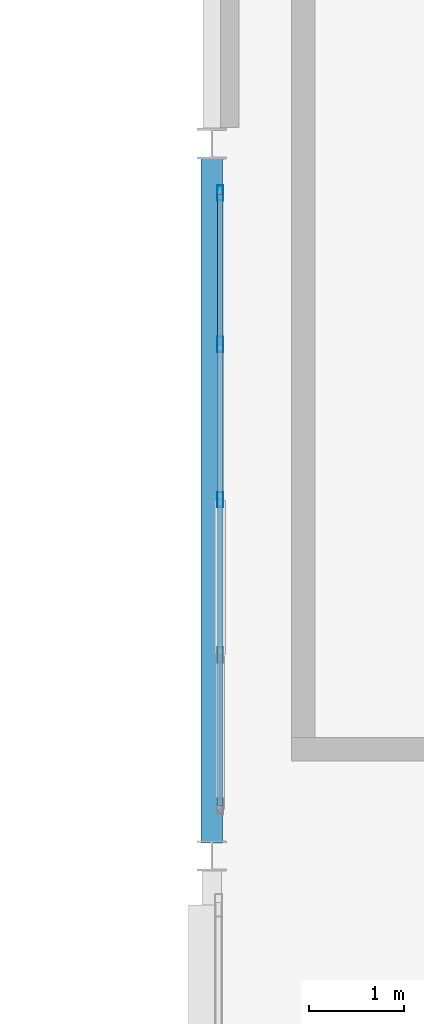
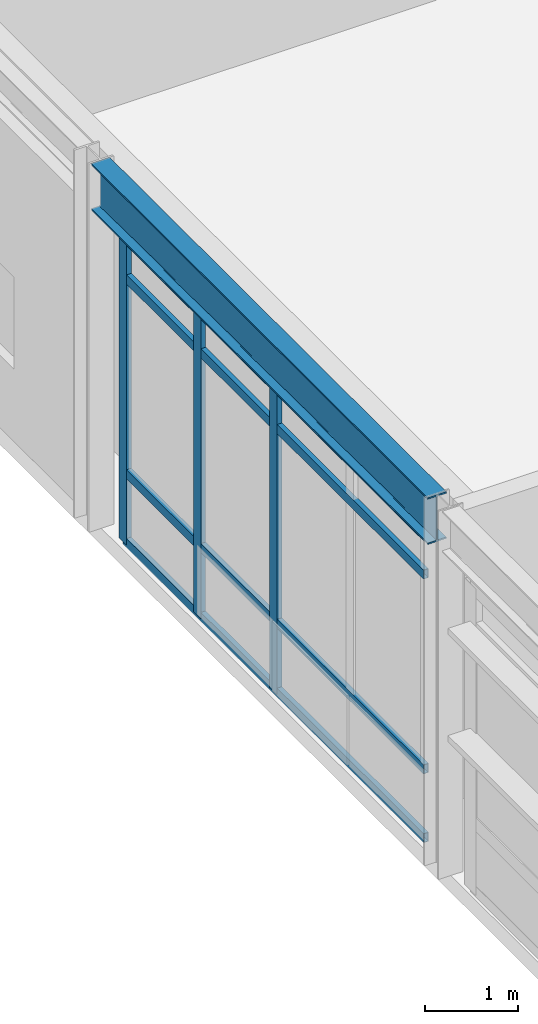
# One storey, part 26 of 56: 7 members, 1 beam, 1 element without a shape of its own.
"""IFC4 building model written with IfcOpenShell, lengths in metres."""

from ifc_helpers import new_model, si_unit, direction, frame, origin, origin_2d, place, context, subcontext, project, spatial, hollow_rectangle, i_section, extrude, material, material_profile, profile_set, type_object, element, aggregate, save


model = new_model("IFC4")

# Units and contexts
model_context = context("Model", 3, precision=1e-05, world=origin(), true_north=direction((0.0, 1.0)))
body_context = subcontext(model_context, "Body", "Model", "MODEL_VIEW")
ifc_project = project(units=[si_unit("LENGTHUNIT", "METRE"), si_unit("AREAUNIT", "SQUARE_METRE"), si_unit("VOLUMEUNIT", "CUBIC_METRE"), si_unit("PLANEANGLEUNIT", "RADIAN"), si_unit("MASSUNIT", "GRAM", prefix="KILO"), si_unit("THERMODYNAMICTEMPERATUREUNIT", "KELVIN"), si_unit("POWERUNIT", "WATT")], contexts=[model_context])

# Site, building, storey
site_placement = place(None, origin())
site = spatial("IfcSite", under=ifc_project, at=site_placement, CompositionType="ELEMENT")
building_placement = place(site_placement, origin())
building = spatial("IfcBuilding", under=site, at=building_placement, Name="Tepalcoro Natatorium and Aquatics Centre", CompositionType="ELEMENT")
storey_placement = place(building_placement, frame((0.0, 0.0, 14.800048828125)))
storey = spatial("IfcBuildingStorey", under=building, at=storey_placement, Name="L03", CompositionType="ELEMENT", Elevation=14.800048828125)

# Curtain wall, members
ifc_material_1 = material(Name="Bronze-Anodised Extruded Aluminium Alloy EN AW-6063 T6", Category="aluminium")
curtain_wall_type = type_object("IfcCurtainWallType", Name="CW_V1_PLINTH", PredefinedType="USERDEFINED", material=ifc_material_1)
curtain_wall_placement = place(storey_placement, origin())
curtain_wall = element("IfcCurtainWall", 1, at=curtain_wall_placement, inside=storey, type_object=curtain_wall_type, Name="V2 L03 W Unitised Curtain Wall Bay 6", ObjectType="UNITISED STOREFRONT", PredefinedType="USERDEFINED")
ifc_material_profile_1 = material_profile(ifc_material_1, hollow_rectangle(XDim=0.06005859375, YDim=0.159912109375, WallThickness=0.00390625, at=origin_2d()), Name="AL60X160X4")
ifc_profile_set_1 = profile_set([ifc_material_profile_1], Name="Bronze-Anodised Extruded Aluminium Alloy EN AW-6063 T6")
member_type_1 = type_object("IfcMemberType", Name="CW_MUL_60x160", PredefinedType="MULLION", material=ifc_profile_set_1)
member_1_placement = place(storey_placement, frame((142.090087890625, 47.75, 0.02001953125), z_axis=(0.0, 0.0, 1.0), x_axis=(1.0, 0.0, 0.0)))
member_1 = element("IfcMember", 2, at=member_1_placement, type_object=member_type_1, Name="CW_V1_PLINTH Curtain Wall Mullion", PredefinedType="MULLION", context=body_context, shape_type="SweptSolid", body=[
    extrude(hollow_rectangle(XDim=0.06005859375, YDim=0.159912109375, WallThickness=0.00390625, at=origin_2d()), origin(), (0.0, 0.0, 1.0), 4.010009765625),
])
member_2_placement = place(storey_placement, frame((142.090087890625, 49.385009765625, 0.02001953125), z_axis=(0.0, 0.0, 1.0), x_axis=(1.0, 0.0, 0.0)))
member_2 = element("IfcMember", 3, at=member_2_placement, type_object=member_type_1, Name="CW_V1_PLINTH Curtain Wall Mullion", PredefinedType="MULLION", context=body_context, shape_type="SweptSolid", body=[
    extrude(hollow_rectangle(XDim=0.06005859375, YDim=0.159912109375, WallThickness=0.00390625, at=origin_2d()), origin(), (0.0, 0.0, 1.0), 4.010009765625),
])
member_3_placement = place(storey_placement, frame((142.090087890625, 50.97998046875, 0.02001953125), z_axis=(0.0, 0.0, 1.0), x_axis=(1.0, 0.0, 0.0)))
member_3 = element("IfcMember", 4, at=member_3_placement, type_object=member_type_1, Name="CW_V1_PLINTH Curtain Wall Mullion", PredefinedType="MULLION", context=body_context, shape_type="SweptSolid", body=[
    extrude(hollow_rectangle(XDim=0.06005859375, YDim=0.159912109375, WallThickness=0.00390625, at=origin_2d()), origin(), (0.0, 0.0, 1.0), 4.010009765625),
])
ifc_material_profile_2 = material_profile(ifc_material_1, hollow_rectangle(XDim=0.06005859375, YDim=0.1201171875, WallThickness=0.00390625, at=origin_2d()), Name="AL60X120X4")
ifc_profile_set_2 = profile_set([ifc_material_profile_2], Name="Bronze-Anodised Extruded Aluminium Alloy EN AW-6063 T6")
member_type_2 = type_object("IfcMemberType", Name="CW_TRN_60x120", PredefinedType="USERDEFINED", material=ifc_profile_set_2)
member_4_placement = place(storey_placement, frame((142.090087890625, 44.530029296875, 0.050048828125), z_axis=(0.0, 1.0, 0.0), x_axis=(-1.0, 0.0, 0.0)))
member_4 = element("IfcMember", 5, at=member_4_placement, type_object=member_type_2, Name="CW_V1_PLINTH Curtain Wall Transom", ObjectType="TRANSOM", PredefinedType="USERDEFINED", context=body_context, shape_type="SweptSolid", body=[
    extrude(hollow_rectangle(XDim=0.06005859375, YDim=0.1201171875, WallThickness=0.00390625, at=origin_2d()), origin(), (0.0, 0.0, 1.0), 6.43994140625),
])
member_5_placement = place(storey_placement, frame((142.090087890625, 44.530029296875, 0.949951171875), z_axis=(0.0, 1.0, 0.0), x_axis=(-1.0, 0.0, 0.0)))
member_5 = element("IfcMember", 6, at=member_5_placement, type_object=member_type_2, Name="CW_V1_PLINTH Curtain Wall Transom", ObjectType="TRANSOM", PredefinedType="USERDEFINED", context=body_context, shape_type="SweptSolid", body=[
    extrude(hollow_rectangle(XDim=0.06005859375, YDim=0.1201171875, WallThickness=0.00390625, at=origin_2d()), origin(), (0.0, 0.0, 1.0), 6.43994140625),
])
member_6_placement = place(storey_placement, frame((142.090087890625, 44.530029296875, 3.5), z_axis=(0.0, 1.0, 0.0), x_axis=(-1.0, 0.0, 0.0)))
member_6 = element("IfcMember", 7, at=member_6_placement, type_object=member_type_2, Name="CW_V1_PLINTH Curtain Wall Transom", ObjectType="TRANSOM", PredefinedType="USERDEFINED", context=body_context, shape_type="SweptSolid", body=[
    extrude(hollow_rectangle(XDim=0.06005859375, YDim=0.1201171875, WallThickness=0.00390625, at=origin_2d()), origin(), (0.0, 0.0, 1.0), 6.43994140625),
])
member_7_placement = place(storey_placement, frame((142.090087890625, 44.530029296875, 4.0), z_axis=(0.0, 1.0, 0.0), x_axis=(-1.0, 0.0, 0.0)))
member_7 = element("IfcMember", 8, at=member_7_placement, type_object=member_type_2, Name="CW_V1_PLINTH Curtain Wall Transom", ObjectType="TRANSOM", PredefinedType="USERDEFINED", context=body_context, shape_type="SweptSolid", body=[
    extrude(hollow_rectangle(XDim=0.06005859375, YDim=0.1201171875, WallThickness=0.00390625, at=origin_2d()), origin(), (0.0, 0.0, 1.0), 6.43994140625),
])
aggregate(curtain_wall, [member_1, member_2, member_3, member_4, member_5, member_6, member_7])

# Beam
ifc_material_2 = material(Name="Steel ASTM A992 Grade 50 (Fy 345 MPa)", Category="steel")
ifc_material_profile_3 = material_profile(ifc_material_2, i_section(OverallWidth=0.22900390625, OverallDepth=0.612060546875, WebThickness=0.011962890625, FlangeThickness=0.02001953125, FilletRadius=0.013916015625, at=origin_2d()), Name="W24X84")
ifc_profile_set_3 = profile_set([ifc_material_profile_3], Name="Steel ASTM A992 Grade 50 (Fy 345 MPa)")
beam_type = type_object("IfcBeamType", Name="SP_W24x84", PredefinedType="SPANDREL", material=ifc_profile_set_3)
beam_placement = place(storey_placement, frame((142.0, 44.136474609375, 4.4990234375), z_axis=(0.0, 1.0, 0.0), x_axis=(-1.0, 0.0, 0.0)))
element("IfcBeam", 9, at=beam_placement, inside=storey, type_object=beam_type, Name="V2 L03 Grid Girder Y", PredefinedType="SPANDREL", context=body_context, shape_type="SweptSolid", body=[
    extrude(i_section(OverallWidth=0.22900390625, OverallDepth=0.612060546875, WebThickness=0.011962890625, FlangeThickness=0.02001953125, FilletRadius=0.013916015625, at=origin_2d()), origin(), (0.0, 0.0, 1.0), 7.220458984375),
])

save(model, "model.ifc")
